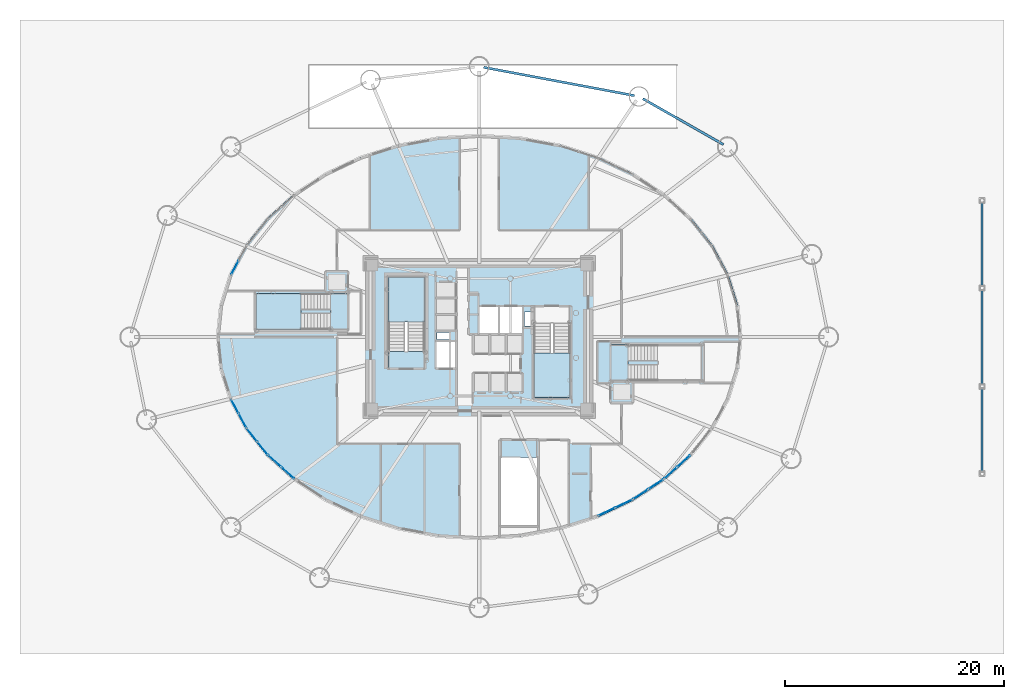
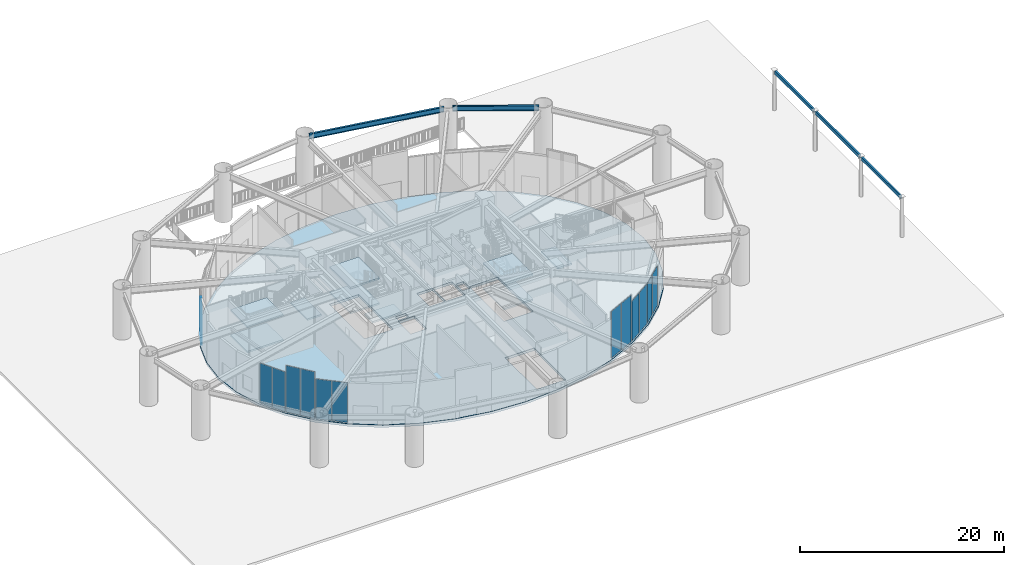
# One storey, part 25 of 46: 13 plates, 10 slabs, 5 beams, 11 elements without a shape of their own.
"""IFC4 building model written with IfcOpenShell, lengths in metres."""

from ifc_helpers import new_model, si_unit, direction, frame, origin, origin_2d, place, context, subcontext, project, spatial, polyline, rectangle, hollow_rectangle, i_section, outline, extrude, source, transform, mapped, material, layer, layer_set, material_profile, profile_set, type_object, element, aggregate, save


model = new_model("IFC4")

# Units and contexts
model_context = context("Model", 3, precision=1e-05, world=origin(), true_north=direction((0.0, 1.0)))
body_context = subcontext(model_context, "Body", "Model", "MODEL_VIEW")
ifc_project = project(units=[si_unit("LENGTHUNIT", "METRE"), si_unit("AREAUNIT", "SQUARE_METRE"), si_unit("VOLUMEUNIT", "CUBIC_METRE"), si_unit("PLANEANGLEUNIT", "RADIAN"), si_unit("MASSUNIT", "GRAM", prefix="KILO")], contexts=[model_context])

# Site, building, storey
site_placement = place(None, origin())
site = spatial("IfcSite", under=ifc_project, at=site_placement, CompositionType="ELEMENT")
building_placement = place(site_placement, origin())
building = spatial("IfcBuilding", under=site, at=building_placement, Name="Linh Dai School and Residence Tower", CompositionType="ELEMENT")
storey_placement = place(building_placement, origin())
storey = spatial("IfcBuildingStorey", under=building, at=storey_placement, Name="L00", CompositionType="ELEMENT", Elevation=0.0)

# Beams
ifc_material_1 = material(Name="Structural Steel S355JR", Category="steel")
ifc_material_profile_1 = material_profile(ifc_material_1, hollow_rectangle(XDim=0.199951171875, YDim=0.39990234375, WallThickness=0.012451171875, at=origin_2d()), Name="RHS 400x200x12.5")
ifc_profile_set_1 = profile_set([ifc_material_profile_1], Name="Structural Steel S355JR")
beam_type_1 = type_object("IfcBeamType", Name="BM-BX4", PredefinedType="BEAM", material=ifc_profile_set_1)
beam_1_placement = place(storey_placement, frame((82.0, 14.673095703125, 4.60009765625), z_axis=(0.0, 1.0, 0.0), x_axis=(-1.0, 0.0, 0.0)))
element("IfcBeam", 1, at=beam_1_placement, inside=storey, type_object=beam_type_1, Name="L00 East Arrival Canopy Edge Beam 1", PredefinedType="BEAM", context=body_context, shape_type="SweptSolid", body=[
    extrude(hollow_rectangle(XDim=0.199951171875, YDim=0.39990234375, WallThickness=0.012451171875, at=origin_2d()), origin(), (0.0, 0.0, 1.0), 7.65380859375),
])
beam_2_placement = place(storey_placement, frame((82.0, 22.673095703125, 4.60009765625), z_axis=(0.0, 1.0, 0.0), x_axis=(-1.0, 0.0, 0.0)))
element("IfcBeam", 2, at=beam_2_placement, inside=storey, type_object=beam_type_1, Name="L00 East Arrival Canopy Edge Beam 2", PredefinedType="BEAM", context=body_context, shape_type="SweptSolid", body=[
    extrude(hollow_rectangle(XDim=0.199951171875, YDim=0.39990234375, WallThickness=0.012451171875, at=origin_2d()), origin(), (0.0, 0.0, 1.0), 8.65380859375),
])
beam_3_placement = place(storey_placement, frame((82.0, 31.673095703125, 4.60009765625), z_axis=(0.0, 1.0, 0.0), x_axis=(-1.0, 0.0, 0.0)))
element("IfcBeam", 3, at=beam_3_placement, inside=storey, type_object=beam_type_1, Name="L00 East Arrival Canopy Edge Beam 3", PredefinedType="BEAM", context=body_context, shape_type="SweptSolid", body=[
    extrude(hollow_rectangle(XDim=0.199951171875, YDim=0.39990234375, WallThickness=0.012451171875, at=origin_2d()), origin(), (0.0, 0.0, 1.0), 7.65380859375),
])
ifc_material_profile_2 = material_profile(ifc_material_1, i_section(OverallWidth=0.219970703125, OverallDepth=0.60009765625, WebThickness=0.011962890625, FlangeThickness=0.01904296875, FilletRadius=0.02392578125, at=origin_2d()), Name="IPE 600")
ifc_profile_set_2 = profile_set([ifc_material_profile_2], Name="Structural Steel S355JR")
beam_type_2 = type_object("IfcBeamType", Name="BM-RB60", PredefinedType="BEAM", material=ifc_profile_set_2)
beam_4_placement = place(storey_placement, frame((58.340087890625, 44.6083984375, 5.39990234375), z_axis=(-0.869246663758, 0.494378637833, 0.0), x_axis=(-0.494378637833, -0.869246663758, 0.0)))
element("IfcBeam", 4, at=beam_4_placement, inside=storey, type_object=beam_type_2, Name="L00 Perimeter Elliptical Ring Beam 03", PredefinedType="BEAM", context=body_context, shape_type="SweptSolid", body=[
    extrude(i_section(OverallWidth=0.219970703125, OverallDepth=0.60009765625, WebThickness=0.011962890625, FlangeThickness=0.01904296875, FilletRadius=0.02392578125, at=origin_2d()), origin(), (0.0, 0.0, 1.0), 8.4736328125),
])
beam_5_placement = place(storey_placement, frame((50.196533203125, 49.082763671875, 5.39990234375), z_axis=(-0.98280551354, 0.184643772045, 0.0), x_axis=(-0.184643772045, -0.98280551354, 0.0)))
element("IfcBeam", 5, at=beam_5_placement, inside=storey, type_object=beam_type_2, Name="L00 Perimeter Elliptical Ring Beam 04", PredefinedType="BEAM", context=body_context, shape_type="SweptSolid", body=[
    extrude(i_section(OverallWidth=0.219970703125, OverallDepth=0.60009765625, WebThickness=0.011962890625, FlangeThickness=0.01904296875, FilletRadius=0.02392578125, at=origin_2d()), origin(), (0.0, 0.0, 1.0), 14.02490234375),
])

# Slab
ifc_material_2 = material(Name="Concrete B45 (C35/45)", Category="concrete")
ifc_layer_1 = layer(ifc_material_2, 0.300048828125)
ifc_layer_set_1 = layer_set([ifc_layer_1], Name="Concrete B45 (C35/45)")
slab_type_1 = type_object("IfcSlabType", Name="SLB-FLR300", PredefinedType="FLOOR", material=ifc_layer_set_1)
slab_1_placement = place(storey_placement, frame((0.0, 0.0, -0.300048828125)))
element("IfcSlab", 6, at=slab_1_placement, inside=storey, type_object=slab_type_1, Name="L00 Entrance Hall & Lobby Floor Slab", PredefinedType="FLOOR", context=body_context, shape_type="SweptSolid", body=[
    extrude(outline(polyline([(60.0, 27.0), (59.70458984375, 29.89404296875), (58.825439453125, 32.716796875), (57.38427734375, 35.39892578125), (55.41650390625, 37.8740234375), (52.970458984375, 40.08154296875), (50.10693359375, 41.966796875), (46.895751953125, 43.483642578125), (43.41650390625, 44.594482421875), (39.75439453125, 45.272216796875), (36.0, 45.5), (32.24560546875, 45.272216796875), (28.58349609375, 44.594482421875), (25.104248046875, 43.483642578125), (21.89306640625, 41.966796875), (19.029541015625, 40.08154296875), (16.58349609375, 37.8740234375), (14.61572265625, 35.39892578125), (13.174560546875, 32.716796875), (12.29541015625, 29.89404296875), (12.0, 27.0), (12.29541015625, 24.10595703125), (13.174560546875, 21.283203125), (14.61572265625, 18.60107421875), (16.58349609375, 16.1259765625), (19.029541015625, 13.91845703125), (21.89306640625, 12.033203125), (25.104248046875, 10.516357421875), (28.58349609375, 9.405517578125), (32.24560546875, 8.727783203125), (36.0, 8.5), (39.75439453125, 8.727783203125), (43.41650390625, 9.405517578125), (46.895751953125, 10.516357421875), (50.10693359375, 12.033203125), (52.970458984375, 13.91845703125), (55.41650390625, 16.1259765625), (57.38427734375, 18.60107421875), (58.825439453125, 21.283203125), (59.70458984375, 24.10595703125), (60.0, 27.0)]), holes=[polyline([(30.97998046875, 25.699951171875), (30.97998046875, 32.5), (27.679931640625, 32.5), (27.679931640625, 25.699951171875), (30.97998046875, 25.699951171875)]), polyline([(41.02001953125, 28.25), (41.02001953125, 21.449951171875), (44.320068359375, 21.449951171875), (44.320068359375, 28.25), (41.02001953125, 28.25)]), polyline([(38.0, 16.0), (38.0, 9.800048828125), (41.300048828125, 9.800048828125), (41.300048828125, 16.0), (38.0, 16.0)]), polyline([(35.97998046875, 27.280029296875), (37.77001953125, 27.280029296875), (37.77001953125, 29.820068359375), (35.97998046875, 29.820068359375), (35.97998046875, 27.280029296875)]), polyline([(32.030029296875, 24.1298828125), (33.8701171875, 24.1298828125), (33.8701171875, 26.6201171875), (32.030029296875, 26.6201171875), (32.030029296875, 24.1298828125)]), polyline([(37.830078125, 27.280029296875), (39.969970703125, 27.280029296875), (39.969970703125, 29.820068359375), (37.830078125, 29.820068359375), (37.830078125, 27.280029296875)]), polyline([(40.14990234375, 28.0), (40.14990234375, 29.300048828125), (41.0, 29.300048828125), (41.0, 28.280029296875), (40.989990234375, 28.280029296875), (40.989990234375, 28.0), (40.14990234375, 28.0)]), polyline([(32.14990234375, 26.800048828125), (33.35009765625, 26.800048828125), (33.35009765625, 27.39990234375), (32.14990234375, 27.39990234375), (32.14990234375, 26.800048828125)])]), origin(), (0.0, 0.0, 1.0), 0.300048828125),
])

# Stair, slabs
stair_type = type_object("IfcStairType", Name="ST-DOG-1550-R1500", PredefinedType="HALF_TURN_STAIR", material=ifc_material_2)
stair_1_placement = place(storey_placement, origin())
stair_1 = element("IfcStair", 7, at=stair_1_placement, inside=storey, type_object=stair_type, Name="L00 Core Smokeproof Exit Stair ST1", PredefinedType="HALF_TURN_STAIR")
ifc_layer_2 = layer(ifc_material_2, 0.199951171875)
ifc_layer_set_2 = layer_set([ifc_layer_2], Name="Concrete B45 (C35/45)")
slab_type_2 = type_object("IfcSlabType", Name="SLB-ST-LANDING-200", PredefinedType="LANDING", material=ifc_layer_set_2)
slab_2_placement = place(storey_placement, frame((0.0, 0.0, 1.300048828125)))
slab_2 = element("IfcSlab", 8, at=slab_2_placement, type_object=slab_type_2, Name="ST1 landing 1", PredefinedType="LANDING", context=body_context, shape_type="SweptSolid", body=[
    extrude(outline(polyline([(30.97998046875, 28.39990234375), (30.97998046875, 32.5), (27.679931640625, 32.5), (27.679931640625, 28.39990234375), (30.97998046875, 28.39990234375)])), origin(), (0.0, 0.0, 1.0), 0.199951171875),
])
slab_3_placement = place(storey_placement, frame((0.0, 0.0, 2.800048828125)))
slab_3 = element("IfcSlab", 9, at=slab_3_placement, type_object=slab_type_2, Name="ST1 landing 2", PredefinedType="LANDING", context=body_context, shape_type="SweptSolid", body=[
    extrude(outline(polyline([(30.97998046875, 24.10009765625), (30.97998046875, 25.699951171875), (27.679931640625, 25.699951171875), (27.679931640625, 24.10009765625), (30.97998046875, 24.10009765625)])), origin(), (0.0, 0.0, 1.0), 0.199951171875),
])
slab_4_placement = place(storey_placement, frame((0.0, 0.0, 4.300048828125)))
slab_4 = element("IfcSlab", 10, at=slab_4_placement, type_object=slab_type_2, Name="ST1 landing 3", PredefinedType="LANDING", context=body_context, shape_type="SweptSolid", body=[
    extrude(outline(polyline([(30.97998046875, 28.39990234375), (30.97998046875, 32.5), (27.679931640625, 32.5), (27.679931640625, 28.39990234375), (30.97998046875, 28.39990234375)])), origin(), (0.0, 0.0, 1.0), 0.199951171875),
])
aggregate(stair_1, [slab_2, slab_3, slab_4])

stair_2_placement = place(storey_placement, origin())
stair_2 = element("IfcStair", 11, at=stair_2_placement, inside=storey, type_object=stair_type, Name="L00 Core Smokeproof Exit Stair ST2", PredefinedType="HALF_TURN_STAIR")
slab_5_placement = place(storey_placement, frame((0.0, 0.0, 1.300048828125)))
slab_5 = element("IfcSlab", 12, at=slab_5_placement, type_object=slab_type_2, Name="ST2 landing 1", PredefinedType="LANDING", context=body_context, shape_type="SweptSolid", body=[
    extrude(outline(polyline([(41.02001953125, 25.550048828125), (41.02001953125, 21.449951171875), (44.320068359375, 21.449951171875), (44.320068359375, 25.550048828125), (41.02001953125, 25.550048828125)])), origin(), (0.0, 0.0, 1.0), 0.199951171875),
])
slab_6_placement = place(storey_placement, frame((0.0, 0.0, 4.300048828125)))
slab_6 = element("IfcSlab", 13, at=slab_6_placement, type_object=slab_type_2, Name="ST2 landing 3", PredefinedType="LANDING", context=body_context, shape_type="SweptSolid", body=[
    extrude(outline(polyline([(41.02001953125, 25.550048828125), (41.02001953125, 21.449951171875), (44.320068359375, 21.449951171875), (44.320068359375, 25.550048828125), (41.02001953125, 25.550048828125)])), origin(), (0.0, 0.0, 1.0), 0.199951171875),
])
aggregate(stair_2, [slab_5, slab_6])

stair_3_placement = place(storey_placement, origin())
stair_3 = element("IfcStair", 14, at=stair_3_placement, inside=storey, type_object=stair_type, Name="L00 School Exit Stair STS1", PredefinedType="HALF_TURN_STAIR")
slab_7_placement = place(storey_placement, frame((0.0, 0.0, 1.300048828125)))
slab_7 = element("IfcSlab", 15, at=slab_7_placement, type_object=slab_type_2, Name="STS1 landing 1", PredefinedType="LANDING", context=body_context, shape_type="SweptSolid", body=[
    extrude(outline(polyline([(19.699951171875, 31.0), (15.60009765625, 31.0), (15.60009765625, 27.699951171875), (19.699951171875, 27.699951171875), (19.699951171875, 31.0)])), origin(), (0.0, 0.0, 1.0), 0.199951171875),
])
slab_8_placement = place(storey_placement, frame((0.0, 0.0, 2.800048828125)))
slab_8 = element("IfcSlab", 16, at=slab_8_placement, type_object=slab_type_2, Name="STS1 landing 2", PredefinedType="LANDING", context=body_context, shape_type="SweptSolid", body=[
    extrude(outline(polyline([(24.0, 31.0), (22.39990234375, 31.0), (22.39990234375, 27.699951171875), (24.0, 27.699951171875), (24.0, 31.0)])), origin(), (0.0, 0.0, 1.0), 0.199951171875),
])
slab_9_placement = place(storey_placement, frame((0.0, 0.0, 4.300048828125)))
slab_9 = element("IfcSlab", 17, at=slab_9_placement, type_object=slab_type_2, Name="STS1 landing 3", PredefinedType="LANDING", context=body_context, shape_type="SweptSolid", body=[
    extrude(outline(polyline([(19.699951171875, 31.0), (15.60009765625, 31.0), (15.60009765625, 27.699951171875), (19.699951171875, 27.699951171875), (19.699951171875, 31.0)])), origin(), (0.0, 0.0, 1.0), 0.199951171875),
])
aggregate(stair_3, [slab_7, slab_8, slab_9])

# Stair, slab
stair_4_placement = place(storey_placement, origin())
stair_4 = element("IfcStair", 18, at=stair_4_placement, inside=storey, type_object=stair_type, Name="L00 School Exit Stair STS2", PredefinedType="HALF_TURN_STAIR")
slab_10_placement = place(storey_placement, frame((0.0, 0.0, 2.800048828125)))
slab_10 = element("IfcSlab", 19, at=slab_10_placement, type_object=slab_type_2, Name="STS2 landing 2", PredefinedType="LANDING", context=body_context, shape_type="SweptSolid", body=[
    extrude(outline(polyline([(48.0, 23.0), (49.60009765625, 23.0), (49.60009765625, 26.300048828125), (48.0, 26.300048828125), (48.0, 23.0)])), origin(), (0.0, 0.0, 1.0), 0.199951171875),
])
aggregate(stair_4, [slab_10])

# Curtain wall, plate
ifc_material_3 = material(Name="Aluminium Anodised Curtain Wall", Category="aluminium")
ifc_layer_3 = layer(ifc_material_3, 0.179931640625)
ifc_layer_set_3 = layer_set([ifc_layer_3], Name="Aluminium Anodised Curtain Wall")
curtain_wall_type = type_object("IfcCurtainWallType", Name="CW-SYS-1", PredefinedType="USERDEFINED", material=ifc_layer_set_3)
curtain_wall_1_placement = place(storey_placement, origin())
curtain_wall_1 = element("IfcCurtainWall", 20, at=curtain_wall_1_placement, inside=storey, type_object=curtain_wall_type, Name="L00 CW1 Curtain Wall 18", ObjectType="UNITISED CURTAIN WALL", PredefinedType="USERDEFINED")
ifc_material_4 = material(Name="Double Low-E Insulated Glazing", Category="glass")
ifc_layer_4 = layer(ifc_material_4, 0.031982421875)
ifc_layer_set_4 = layer_set([ifc_layer_4], Name="Double Low-E Insulated Glazing")
plate_type = type_object("IfcPlateType", Name="CW-SYS-1-PAN", PredefinedType="CURTAIN_PANEL", material=ifc_layer_set_4)
shared_shape_1 = source(origin(), body_context, "Body", "SweptSolid", [
    extrude(rectangle(XDim=1.413330078125, YDim=0.031982421875, at=origin_2d()), origin(), (0.0, 0.0, 1.0), 4.7548828125),
])
plate_1_placement = place(storey_placement, frame((13.655029296875, 33.347900390625, 0.06494140625), z_axis=(0.0, 0.0, 1.0), x_axis=(0.473355424568, 0.880871524135, 0.0)))
plate_1 = element("IfcPlate", 21, at=plate_1_placement, type_object=plate_type, Name="CW1 panel 1.1", PredefinedType="CURTAIN_PANEL", context=body_context, shape_type="MappedRepresentation", body=[
    mapped(shared_shape_1, transform((0.0, 0.0, 0.0), x_axis=(1.0, 0.0, 0.0), y_axis=(0.0, 1.0, 0.0), z_axis=(0.0, 0.0, 1.0), scale=1.0)),
])
aggregate(curtain_wall_1, [plate_1])

# Curtain wall, plates
curtain_wall_2_placement = place(storey_placement, origin())
curtain_wall_2 = element("IfcCurtainWall", 22, at=curtain_wall_2_placement, inside=storey, type_object=curtain_wall_type, Name="L00 CW1 Curtain Wall 23", ObjectType="UNITISED CURTAIN WALL", PredefinedType="USERDEFINED")
plate_2_placement = place(storey_placement, frame((14.354736328125, 19.349853515625, 0.06494140625), z_axis=(0.0, 0.0, 1.0), x_axis=(-0.473355424568, 0.880871524135, 0.0)))
plate_2 = element("IfcPlate", 23, at=plate_2_placement, type_object=plate_type, Name="CW1 panel 1.1", PredefinedType="CURTAIN_PANEL", context=body_context, shape_type="MappedRepresentation", body=[
    mapped(shared_shape_1, transform((0.0, 0.0, 0.0), x_axis=(1.0, 0.0, 0.0), y_axis=(0.0, 1.0, 0.0), z_axis=(0.0, 0.0, 1.0), scale=1.0)),
])
plate_3_placement = place(storey_placement, frame((13.655029296875, 20.652099609375, 0.06494140625), z_axis=(0.0, 0.0, 1.0), x_axis=(-0.473355424568, 0.880871524135, 0.0)))
plate_3 = element("IfcPlate", 24, at=plate_3_placement, type_object=plate_type, Name="CW1 panel 2.1", PredefinedType="CURTAIN_PANEL", context=body_context, shape_type="MappedRepresentation", body=[
    mapped(shared_shape_1, transform((0.0, 0.0, 0.0), x_axis=(1.0, 0.0, 0.0), y_axis=(0.0, 1.0, 0.0), z_axis=(0.0, 0.0, 1.0), scale=1.0)),
])
aggregate(curtain_wall_2, [plate_2, plate_3])

curtain_wall_3_placement = place(storey_placement, origin())
curtain_wall_3 = element("IfcCurtainWall", 25, at=curtain_wall_3_placement, inside=storey, type_object=curtain_wall_type, Name="L00 CW1 Curtain Wall 24", ObjectType="UNITISED CURTAIN WALL", PredefinedType="USERDEFINED")
shared_shape_2 = source(origin(), body_context, "Body", "SweptSolid", [
    extrude(rectangle(XDim=1.472900390625, YDim=0.031982421875, at=origin_2d()), origin(), (0.0, 0.0, 1.0), 5.570068359375),
])
plate_4_placement = place(storey_placement, frame((16.17578125, 16.839111328125, 0.06494140625), z_axis=(0.0, 0.0, 1.0), x_axis=(-0.622309515093, 0.782771274016, 0.0)))
plate_4 = element("IfcPlate", 26, at=plate_4_placement, type_object=plate_type, Name="CW1 panel 1.1", PredefinedType="CURTAIN_PANEL", context=body_context, shape_type="MappedRepresentation", body=[
    mapped(shared_shape_2, transform((0.0, 0.0, 0.0), x_axis=(1.0, 0.0, 0.0), y_axis=(0.0, 1.0, 0.0), z_axis=(0.0, 0.0, 1.0), scale=1.0)),
])
plate_5_placement = place(storey_placement, frame((15.21875, 18.042724609375, 0.06494140625), z_axis=(0.0, 0.0, 1.0), x_axis=(-0.622309515093, 0.782771274016, 0.0)))
plate_5 = element("IfcPlate", 27, at=plate_5_placement, type_object=plate_type, Name="CW1 panel 2.1", PredefinedType="CURTAIN_PANEL", context=body_context, shape_type="MappedRepresentation", body=[
    mapped(shared_shape_2, transform((0.0, 0.0, 0.0), x_axis=(1.0, 0.0, 0.0), y_axis=(0.0, 1.0, 0.0), z_axis=(0.0, 0.0, 1.0), scale=1.0)),
])
aggregate(curtain_wall_3, [plate_4, plate_5])

curtain_wall_4_placement = place(storey_placement, origin())
curtain_wall_4 = element("IfcCurtainWall", 28, at=curtain_wall_4_placement, inside=storey, type_object=curtain_wall_type, Name="L00 CW1 Curtain Wall 25", ObjectType="UNITISED CURTAIN WALL", PredefinedType="USERDEFINED")
shared_shape_3 = source(origin(), body_context, "Body", "SweptSolid", [
    extrude(rectangle(XDim=1.5400390625, YDim=0.031982421875, at=origin_2d()), origin(), (0.0, 0.0, 1.0), 4.7548828125),
])
plate_6_placement = place(storey_placement, frame((18.48583984375, 14.576904296875, 0.06494140625), z_axis=(0.0, 0.0, 1.0), x_axis=(-0.742365890654, 0.669994689825, 0.0)))
plate_6 = element("IfcPlate", 29, at=plate_6_placement, type_object=plate_type, Name="CW1 panel 1.1", PredefinedType="CURTAIN_PANEL", context=body_context, shape_type="MappedRepresentation", body=[
    mapped(shared_shape_3, transform((0.0, 0.0, 0.0), x_axis=(1.0, 0.0, 0.0), y_axis=(0.0, 1.0, 0.0), z_axis=(0.0, 0.0, 1.0), scale=1.0)),
])
plate_7_placement = place(storey_placement, frame((17.29443359375, 15.65234375, 0.06494140625), z_axis=(0.0, 0.0, 1.0), x_axis=(-0.742365890654, 0.669994689825, 0.0)))
plate_7 = element("IfcPlate", 30, at=plate_7_placement, type_object=plate_type, Name="CW1 panel 2.1", PredefinedType="CURTAIN_PANEL", context=body_context, shape_type="MappedRepresentation", body=[
    mapped(shared_shape_3, transform((0.0, 0.0, 0.0), x_axis=(1.0, 0.0, 0.0), y_axis=(0.0, 1.0, 0.0), z_axis=(0.0, 0.0, 1.0), scale=1.0)),
])
aggregate(curtain_wall_4, [plate_6, plate_7])

curtain_wall_5_placement = place(storey_placement, origin())
curtain_wall_5 = element("IfcCurtainWall", 31, at=curtain_wall_5_placement, inside=storey, type_object=curtain_wall_type, Name="L00 CW1 Curtain Wall 36", ObjectType="UNITISED CURTAIN WALL", PredefinedType="USERDEFINED")
plate_8_placement = place(storey_placement, frame((54.70556640625, 15.65234375, 0.06494140625), z_axis=(0.0, 0.0, 1.0), x_axis=(-0.742367261343, -0.669993171075, 0.0)))
plate_8 = element("IfcPlate", 32, at=plate_8_placement, type_object=plate_type, Name="CW1 panel 1.1", PredefinedType="CURTAIN_PANEL", context=body_context, shape_type="MappedRepresentation", body=[
    mapped(shared_shape_3, transform((0.0, 0.0, 0.0), x_axis=(1.0, 0.0, 0.0), y_axis=(0.0, 1.0, 0.0), z_axis=(0.0, 0.0, 1.0), scale=1.0)),
])
plate_9_placement = place(storey_placement, frame((53.51416015625, 14.576904296875, 0.06494140625), z_axis=(0.0, 0.0, 1.0), x_axis=(-0.742367261343, -0.669993171075, 0.0)))
plate_9 = element("IfcPlate", 33, at=plate_9_placement, type_object=plate_type, Name="CW1 panel 2.1", PredefinedType="CURTAIN_PANEL", context=body_context, shape_type="MappedRepresentation", body=[
    mapped(shared_shape_3, transform((0.0, 0.0, 0.0), x_axis=(1.0, 0.0, 0.0), y_axis=(0.0, 1.0, 0.0), z_axis=(0.0, 0.0, 1.0), scale=1.0)),
])
aggregate(curtain_wall_5, [plate_8, plate_9])

curtain_wall_6_placement = place(storey_placement, origin())
curtain_wall_6 = element("IfcCurtainWall", 34, at=curtain_wall_6_placement, inside=storey, type_object=curtain_wall_type, Name="L00 CW1 Curtain Wall 34", ObjectType="UNITISED CURTAIN WALL", PredefinedType="USERDEFINED")
shared_shape_4 = source(origin(), body_context, "Body", "SweptSolid", [
    extrude(rectangle(XDim=1.669677734375, YDim=0.031982421875, at=origin_2d()), origin(), (0.0, 0.0, 1.0), 5.570068359375),
])
plate_10_placement = place(storey_placement, frame((49.232177734375, 11.7578125, 0.06494140625), z_axis=(0.0, 0.0, 1.0), x_axis=(-0.904200631781, -0.427107969356, 0.0)))
plate_10 = element("IfcPlate", 35, at=plate_10_placement, type_object=plate_type, Name="CW1 panel 1.1", PredefinedType="CURTAIN_PANEL", context=body_context, shape_type="MappedRepresentation", body=[
    mapped(shared_shape_4, transform((0.0, 0.0, 0.0), x_axis=(1.0, 0.0, 0.0), y_axis=(0.0, 1.0, 0.0), z_axis=(0.0, 0.0, 1.0), scale=1.0)),
])
plate_11_placement = place(storey_placement, frame((47.66357421875, 11.01708984375, 0.06494140625), z_axis=(0.0, 0.0, 1.0), x_axis=(-0.904200631781, -0.427107969356, 0.0)))
plate_11 = element("IfcPlate", 36, at=plate_11_placement, type_object=plate_type, Name="CW1 panel 2.1", PredefinedType="CURTAIN_PANEL", context=body_context, shape_type="MappedRepresentation", body=[
    mapped(shared_shape_4, transform((0.0, 0.0, 0.0), x_axis=(1.0, 0.0, 0.0), y_axis=(0.0, 1.0, 0.0), z_axis=(0.0, 0.0, 1.0), scale=1.0)),
])
aggregate(curtain_wall_6, [plate_10, plate_11])

curtain_wall_7_placement = place(storey_placement, origin())
curtain_wall_7 = element("IfcCurtainWall", 37, at=curtain_wall_7_placement, inside=storey, type_object=curtain_wall_type, Name="L00 CW1 Curtain Wall 35", ObjectType="UNITISED CURTAIN WALL", PredefinedType="USERDEFINED")
shared_shape_5 = source(origin(), body_context, "Body", "SweptSolid", [
    extrude(rectangle(XDim=1.607666015625, YDim=0.031982421875, at=origin_2d()), origin(), (0.0, 0.0, 1.0), 4.7548828125),
])
plate_12_placement = place(storey_placement, frame((52.16845703125, 13.539794921875, 0.06494140625), z_axis=(0.0, 0.0, 1.0), x_axis=(-0.835244706116, -0.54987842375, 0.0)))
plate_12 = element("IfcPlate", 38, at=plate_12_placement, type_object=plate_type, Name="CW1 panel 1.1", PredefinedType="CURTAIN_PANEL", context=body_context, shape_type="MappedRepresentation", body=[
    mapped(shared_shape_5, transform((0.0, 0.0, 0.0), x_axis=(1.0, 0.0, 0.0), y_axis=(0.0, 1.0, 0.0), z_axis=(0.0, 0.0, 1.0), scale=1.0)),
])
plate_13_placement = place(storey_placement, frame((50.771484375, 12.6201171875, 0.06494140625), z_axis=(0.0, 0.0, 1.0), x_axis=(-0.835244706116, -0.54987842375, 0.0)))
plate_13 = element("IfcPlate", 39, at=plate_13_placement, type_object=plate_type, Name="CW1 panel 2.1", PredefinedType="CURTAIN_PANEL", context=body_context, shape_type="MappedRepresentation", body=[
    mapped(shared_shape_5, transform((0.0, 0.0, 0.0), x_axis=(1.0, 0.0, 0.0), y_axis=(0.0, 1.0, 0.0), z_axis=(0.0, 0.0, 1.0), scale=1.0)),
])
aggregate(curtain_wall_7, [plate_12, plate_13])

save(model, "model.ifc")
